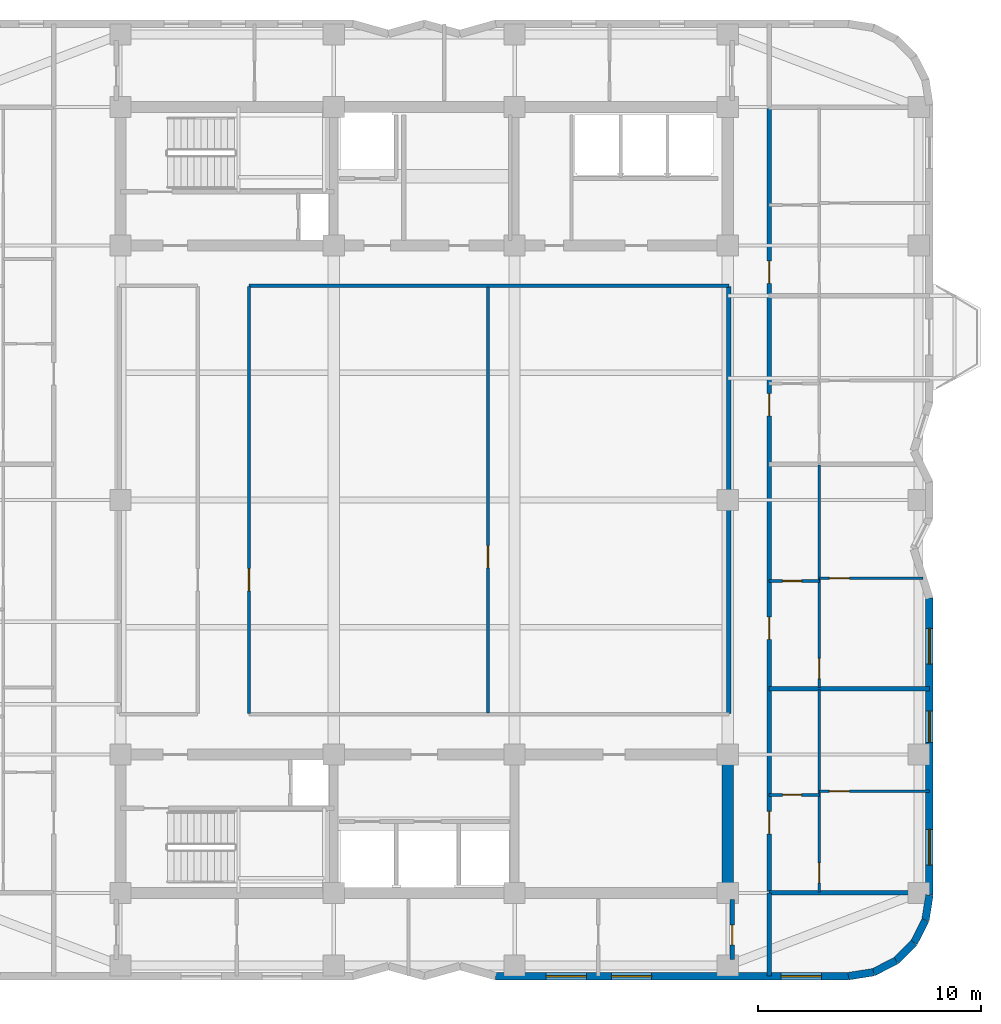
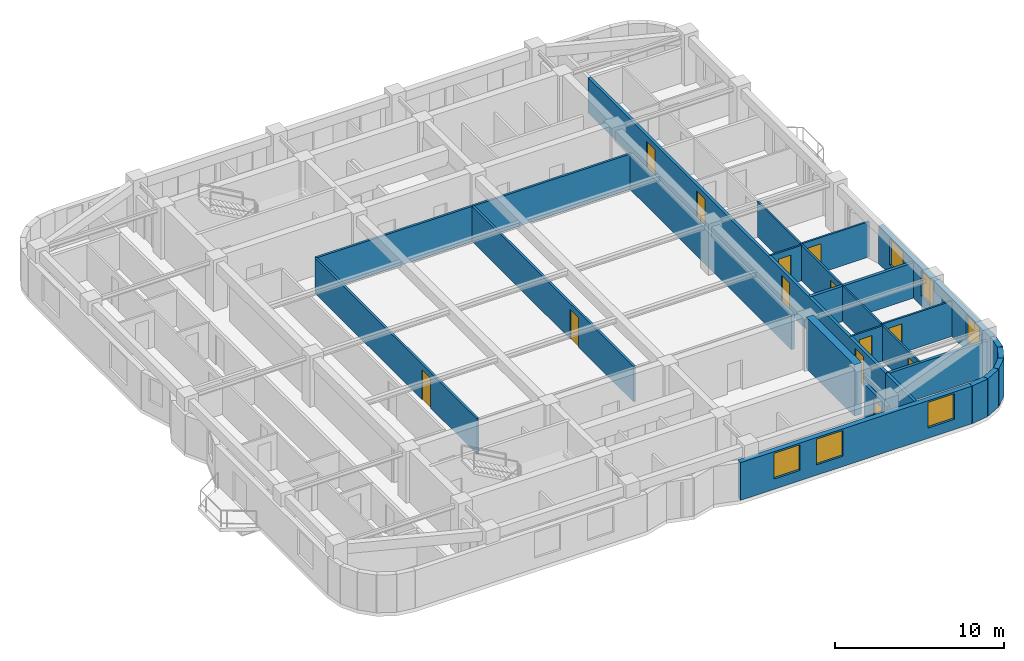
# One storey, part 4 of 9: 23 walls, 13 doors, 6 windows, 19 openings.
"""IFC4 building model written with IfcOpenShell, lengths in metres."""

from ifc_helpers import new_model, si_unit, direction, frame, frame_2d, origin, place, context, subcontext, project, spatial, rectangle, extrude, material, layer, layer_set, type_object, element, fill, save


model = new_model("IFC4")

# Units and contexts
model_context = context("Model", 3, precision=1e-05, world=origin(), true_north=direction((0.0, 1.0)))
body_context = subcontext(model_context, "Body", "Model", "MODEL_VIEW")
ifc_project = project(units=[si_unit("LENGTHUNIT", "METRE"), si_unit("AREAUNIT", "SQUARE_METRE"), si_unit("VOLUMEUNIT", "CUBIC_METRE"), si_unit("PLANEANGLEUNIT", "RADIAN"), si_unit("MASSUNIT", "GRAM", prefix="KILO")], contexts=[model_context])

# Site, building, storey
site_placement = place(None, origin())
site = spatial("IfcSite", under=ifc_project, at=site_placement, CompositionType="ELEMENT")
building_placement = place(site_placement, origin())
building = spatial("IfcBuilding", under=site, at=building_placement, Name="Svetorya Sky Lyceum", CompositionType="ELEMENT")
storey_placement = place(building_placement, frame((0.0, 0.0, 181.10009765625)))
storey = spatial("IfcBuildingStorey", under=building, at=storey_placement, Name="L45", CompositionType="ELEMENT", Elevation=181.10009765625)

# Wall
ifc_material_1 = material(Name="Concrete C50/60", Category="concrete")
ifc_layer_1 = layer(ifc_material_1, 0.5)
ifc_layer_set_1 = layer_set([ifc_layer_1], Name="Concrete C50/60")
wall_type_1 = type_object("IfcWallType", Name="WL-CORE-500", PredefinedType="SHEAR", material=ifc_layer_set_1)
wall_1_placement = place(storey_placement, frame((52.800048828125, 10.85009765625, 0.0), z_axis=(0.0, 0.0, 1.0), x_axis=(0.0, 1.0, 0.0)))
element("IfcWall", 1, at=wall_1_placement, inside=storey, type_object=wall_type_1, Name="L45 SC East Core Shear Wall", PredefinedType="SHEAR", context=body_context, shape_type="SweptSolid", body=[
    extrude(rectangle(XDim=5.699951171875, YDim=0.5, at=frame_2d((2.85009765625, 0.0))), origin(), (0.0, 0.0, 1.0), 3.699951171875),
])

# Wall, openings, windows
ifc_material_2 = material(Name="Putilovo limestone rainscreen on autoclaved cellular masonry", Category="masonry")
ifc_layer_2 = layer(ifc_material_2, 0.340087890625)
ifc_layer_set_2 = layer_set([ifc_layer_2], Name="Putilovo limestone rainscreen on autoclaved cellular masonry")
wall_type_2 = type_object("IfcWallType", Name="WL-EXT-340", PredefinedType="SOLIDWALL", material=ifc_layer_set_2)
wall_2_placement = place(storey_placement, frame((42.39990234375, 6.8701171875, 0.0), z_axis=(0.0, 0.0, 1.0), x_axis=(1.0, 0.0, 0.0)))
wall_2 = element("IfcWall", 2, at=wall_2_placement, inside=storey, type_object=wall_type_2, Name="L45 Limestone Exterior Wall 11M", PredefinedType="SOLIDWALL", context=body_context, shape_type="SweptSolid", body=[
    extrude(rectangle(XDim=15.800048828125, YDim=0.340087890625, at=frame_2d((7.89990234375, 0.0))), origin(), (0.0, 0.0, 1.0), 2.719970703125),
])
opening_1_placement = place(wall_2_placement, frame((2.262451171875, 0.0, 0.75)))
opening_1 = element("IfcOpeningElement", 3, at=opening_1_placement, cuts=wall_2, Name="Opening W-R1", PredefinedType="OPENING", context=body_context, shape_type="SweptSolid", body=[
    extrude(rectangle(XDim=1.800048828125, YDim=1.85009765625, at=frame_2d((0.89990234375, 0.925048828125))), frame((0.0, 0.179931640625, 0.0), z_axis=(0.0, -1.0, 0.0), x_axis=(1.0, 0.0, 0.0)), (0.0, 0.0, 1.0), 0.360107421875),
])
opening_2_placement = place(wall_2_placement, frame((5.1875, 0.0, 0.75)))
opening_2 = element("IfcOpeningElement", 4, at=opening_2_placement, cuts=wall_2, Name="Opening W-R1", PredefinedType="OPENING", context=body_context, shape_type="SweptSolid", body=[
    extrude(rectangle(XDim=1.800048828125, YDim=1.85009765625, at=frame_2d((0.89990234375, 0.925048828125))), frame((0.0, 0.179931640625, 0.0), z_axis=(0.0, -1.0, 0.0), x_axis=(1.0, 0.0, 0.0)), (0.0, 0.0, 1.0), 0.360107421875),
])
opening_3_placement = place(wall_2_placement, frame((12.78759765625, 0.0, 0.75)))
opening_3 = element("IfcOpeningElement", 5, at=opening_3_placement, cuts=wall_2, Name="Opening W-R1", PredefinedType="OPENING", context=body_context, shape_type="SweptSolid", body=[
    extrude(rectangle(XDim=1.800048828125, YDim=1.85009765625, at=frame_2d((0.89990234375, 0.925048828125))), frame((0.0, 0.179931640625, 0.0), z_axis=(0.0, -1.0, 0.0), x_axis=(1.0, 0.0, 0.0)), (0.0, 0.0, 1.0), 0.360107421875),
])
ifc_material_3 = material(Name="Thermally broken aluminium frame with triple low-E glazing", Category="aluminium")
window_type_1 = type_object("IfcWindowType", Name="WN-RES-180", PartitioningType="DOUBLE_PANEL_VERTICAL", PredefinedType="WINDOW", material=ifc_material_3)
window_1_placement = place(opening_1_placement, origin())
window_1 = element("IfcWindow", 6, at=window_1_placement, inside=storey, type_object=window_type_1, Name="L45 Facade Window W-R1.11M.1", OverallHeight=1.85009765625, OverallWidth=1.800048828125, PartitioningType="SINGLE_PANEL", PredefinedType="WINDOW", context=body_context, shape_type="SweptSolid", body=[
    extrude(rectangle(XDim=1.800048828125, YDim=1.85009765625, at=frame_2d((0.89990234375, 0.925048828125))), frame((0.0, 0.030029296875, 0.0), z_axis=(0.0, -1.0, 0.0), x_axis=(1.0, 0.0, 0.0)), (0.0, 0.0, 1.0), 0.06005859375),
])
fill(opening_1, window_1)
window_2_placement = place(opening_2_placement, origin())
window_2 = element("IfcWindow", 7, at=window_2_placement, inside=storey, type_object=window_type_1, Name="L45 Facade Window W-R1.11M.2", OverallHeight=1.85009765625, OverallWidth=1.800048828125, PartitioningType="SINGLE_PANEL", PredefinedType="WINDOW", context=body_context, shape_type="SweptSolid", body=[
    extrude(rectangle(XDim=1.800048828125, YDim=1.85009765625, at=frame_2d((0.89990234375, 0.925048828125))), frame((0.0, 0.030029296875, 0.0), z_axis=(0.0, -1.0, 0.0), x_axis=(1.0, 0.0, 0.0)), (0.0, 0.0, 1.0), 0.06005859375),
])
fill(opening_2, window_2)
window_3_placement = place(opening_3_placement, origin())
window_3 = element("IfcWindow", 8, at=window_3_placement, inside=storey, type_object=window_type_1, Name="L45 Facade Window W-R1.11M.3", OverallHeight=1.85009765625, OverallWidth=1.800048828125, PartitioningType="SINGLE_PANEL", PredefinedType="WINDOW", context=body_context, shape_type="SweptSolid", body=[
    extrude(rectangle(XDim=1.800048828125, YDim=1.85009765625, at=frame_2d((0.89990234375, 0.925048828125))), frame((0.0, 0.030029296875, 0.0), z_axis=(0.0, -1.0, 0.0), x_axis=(1.0, 0.0, 0.0)), (0.0, 0.0, 1.0), 0.06005859375),
])
fill(opening_3, window_3)

# Walls
for number, where, z_axis, x_axis, name in (
    (9, (58.199951171875, 6.8701171875, 0.0), (0.0, 0.0, 1.0), (0.987714116584, 0.156271634985, 0.0), "L45 Limestone Exterior Wall 12M"),
    (10, (59.32177734375, 7.047607421875, 0.0), (0.0, 0.0, 1.0), (0.891005044957, 0.453993402883, 0.0), "L45 Limestone Exterior Wall 13M"),
):
    element("IfcWall", number, at=place(storey_placement, frame(where, z_axis=z_axis, x_axis=x_axis)), inside=storey, type_object=wall_type_2, Name=name, PredefinedType="SOLIDWALL", context=body_context, shape_type="SweptSolid", body=[
        extrude(rectangle(XDim=1.1357421875, YDim=0.340087890625, at=frame_2d((0.56787109375, 0.0))), origin(), (0.0, 0.0, 1.0), 2.719970703125),
    ])
wall_3_placement = place(storey_placement, frame((60.333740234375, 7.563232421875, 0.0), z_axis=(0.0, 0.0, 1.0), x_axis=(0.707106781187, 0.707106781187, 0.0)))
element("IfcWall", 11, at=wall_3_placement, inside=storey, type_object=wall_type_2, Name="L45 Limestone Exterior Wall 14M", PredefinedType="SOLIDWALL", context=body_context, shape_type="SweptSolid", body=[
    extrude(rectangle(XDim=1.135498046875, YDim=0.340087890625, at=frame_2d((0.56787109375, 0.0))), origin(), (0.0, 0.0, 1.0), 2.719970703125),
])
wall_4_placement = place(storey_placement, frame((61.13671875, 8.3662109375, 0.0), z_axis=(0.0, 0.0, 1.0), x_axis=(0.45390646422, 0.891049337433, 0.0)))
element("IfcWall", 12, at=wall_4_placement, inside=storey, type_object=wall_type_2, Name="L45 Limestone Exterior Wall 15M", PredefinedType="SOLIDWALL", context=body_context, shape_type="SweptSolid", body=[
    extrude(rectangle(XDim=1.135986328125, YDim=0.340087890625, at=frame_2d((0.56787109375, 0.0))), origin(), (0.0, 0.0, 1.0), 2.719970703125),
])
wall_5_placement = place(storey_placement, frame((61.65234375, 9.37841796875, 0.0), z_axis=(0.0, 0.0, 1.0), x_axis=(0.156514556949, 0.987675651954, 0.0)))
element("IfcWall", 13, at=wall_5_placement, inside=storey, type_object=wall_type_2, Name="L45 Limestone Exterior Wall 16M", PredefinedType="SOLIDWALL", context=body_context, shape_type="SweptSolid", body=[
    extrude(rectangle(XDim=1.135498046875, YDim=0.340087890625, at=frame_2d((0.56787109375, 0.0))), origin(), (0.0, 0.0, 1.0), 2.719970703125),
])

# Wall, openings, windows
wall_6_placement = place(storey_placement, frame((61.830078125, 10.5, 0.0), z_axis=(0.0, 0.0, 1.0), x_axis=(0.0, 1.0, 0.0)))
wall_6 = element("IfcWall", 14, at=wall_6_placement, inside=storey, type_object=wall_type_2, Name="L45 Limestone Exterior Wall 17M", PredefinedType="SOLIDWALL", context=body_context, shape_type="SweptSolid", body=[
    extrude(rectangle(XDim=13.300048828125, YDim=0.340087890625, at=frame_2d((6.64990234375, 0.0))), origin(), (0.0, 0.0, 1.0), 2.719970703125),
])
opening_4_placement = place(wall_6_placement, frame((1.35009765625, 0.0, 0.699951171875)))
opening_4 = element("IfcOpeningElement", 15, at=opening_4_placement, cuts=wall_6, Name="Opening W-R4", PredefinedType="OPENING", context=body_context, shape_type="SweptSolid", body=[
    extrude(rectangle(XDim=1.60009765625, YDim=1.89990234375, at=frame_2d((0.800048828125, 0.949951171875))), frame((0.0, 0.179931640625, 0.0), z_axis=(0.0, -1.0, 0.0), x_axis=(1.0, 0.0, 0.0)), (0.0, 0.0, 1.0), 0.360107421875),
])
opening_5_placement = place(wall_6_placement, frame((6.840087890625, 0.0, 0.7099609375)))
opening_5 = element("IfcOpeningElement", 16, at=opening_5_placement, cuts=wall_6, Name="Opening W-R2", PredefinedType="OPENING", context=body_context, shape_type="SweptSolid", body=[
    extrude(rectangle(XDim=1.39990234375, YDim=1.85009765625, at=frame_2d((0.699951171875, 0.925048828125))), frame((0.0, 0.179931640625, 0.0), z_axis=(0.0, -1.0, 0.0), x_axis=(1.0, 0.0, 0.0)), (0.0, 0.0, 1.0), 0.360107421875),
])
opening_6_placement = place(wall_6_placement, frame((10.35009765625, 0.0, 0.699951171875)))
opening_6 = element("IfcOpeningElement", 17, at=opening_6_placement, cuts=wall_6, Name="Opening W-R4", PredefinedType="OPENING", context=body_context, shape_type="SweptSolid", body=[
    extrude(rectangle(XDim=1.60009765625, YDim=1.89990234375, at=frame_2d((0.800048828125, 0.949951171875))), frame((0.0, 0.179931640625, 0.0), z_axis=(0.0, -1.0, 0.0), x_axis=(1.0, 0.0, 0.0)), (0.0, 0.0, 1.0), 0.360107421875),
])
window_type_2 = type_object("IfcWindowType", Name="WN-RES-140", PartitioningType="SINGLE_PANEL", PredefinedType="WINDOW", material=ifc_material_3)
window_4_placement = place(opening_5_placement, origin())
window_4 = element("IfcWindow", 18, at=window_4_placement, inside=storey, type_object=window_type_2, Name="L45 Facade Window W-R2.17M.3", OverallHeight=1.85009765625, OverallWidth=1.39990234375, PartitioningType="SINGLE_PANEL", PredefinedType="WINDOW", context=body_context, shape_type="SweptSolid", body=[
    extrude(rectangle(XDim=1.39990234375, YDim=1.85009765625, at=frame_2d((0.699951171875, 0.925048828125))), frame((0.0, 0.030029296875, 0.0), z_axis=(0.0, -1.0, 0.0), x_axis=(1.0, 0.0, 0.0)), (0.0, 0.0, 1.0), 0.06005859375),
])
fill(opening_5, window_4)
window_type_3 = type_object("IfcWindowType", Name="WN-RES-160", PartitioningType="DOUBLE_PANEL_VERTICAL", PredefinedType="WINDOW", material=ifc_material_3)
window_5_placement = place(opening_4_placement, origin())
window_5 = element("IfcWindow", 19, at=window_5_placement, inside=storey, type_object=window_type_3, Name="L45 Facade Window W-R4.17M.1", OverallHeight=1.89990234375, OverallWidth=1.60009765625, PartitioningType="SINGLE_PANEL", PredefinedType="WINDOW", context=body_context, shape_type="SweptSolid", body=[
    extrude(rectangle(XDim=1.60009765625, YDim=1.89990234375, at=frame_2d((0.800048828125, 0.949951171875))), frame((0.0, 0.030029296875, 0.0), z_axis=(0.0, -1.0, 0.0), x_axis=(1.0, 0.0, 0.0)), (0.0, 0.0, 1.0), 0.06005859375),
])
fill(opening_4, window_5)
window_6_placement = place(opening_6_placement, origin())
window_6 = element("IfcWindow", 20, at=window_6_placement, inside=storey, type_object=window_type_3, Name="L45 Facade Window W-R4.17M.2", OverallHeight=1.89990234375, OverallWidth=1.60009765625, PartitioningType="SINGLE_PANEL", PredefinedType="WINDOW", context=body_context, shape_type="SweptSolid", body=[
    extrude(rectangle(XDim=1.60009765625, YDim=1.89990234375, at=frame_2d((0.800048828125, 0.949951171875))), frame((0.0, 0.030029296875, 0.0), z_axis=(0.0, -1.0, 0.0), x_axis=(1.0, 0.0, 0.0)), (0.0, 0.0, 1.0), 0.06005859375),
])
fill(opening_6, window_6)

# Wall, opening, door
ifc_material_4 = material(Name="Twin-stud galvanized framing with double fireboard", Category="gypsum")
ifc_layer_3 = layer(ifc_material_4, 0.1201171875)
ifc_layer_set_3 = layer_set([ifc_layer_3], Name="Twin-stud galvanized framing with double fireboard")
wall_type_3 = type_object("IfcWallType", Name="WL-PART-120", PredefinedType="PARTITIONING", material=ifc_layer_set_3)
wall_7_placement = place(storey_placement, frame((54.64990234375, 14.989990234375, 0.0), z_axis=(0.0, 0.0, 1.0), x_axis=(1.0, 0.0, 0.0)))
wall_7 = element("IfcWall", 21, at=wall_7_placement, inside=storey, type_object=wall_type_3, Name="L45 Interior Partition E1-WH1", PredefinedType="PARTITIONING", context=body_context, shape_type="SweptSolid", body=[
    extrude(rectangle(XDim=2.25, YDim=0.1201171875, at=frame_2d((1.125, 0.0))), origin(), (0.0, 0.0, 1.0), 2.5498046875),
])
opening_7_placement = place(wall_7_placement, frame((0.60009765625, 0.0, 0.0)))
opening_7 = element("IfcOpeningElement", 22, at=opening_7_placement, cuts=wall_7, Name="Opening D-BT1", PredefinedType="OPENING", context=body_context, shape_type="SweptSolid", body=[
    extrude(rectangle(XDim=0.85009765625, YDim=2.10009765625, at=frame_2d((0.425048828125, 1.050048828125))), frame((0.0, 0.070068359375, 0.0), z_axis=(0.0, -1.0, 0.0), x_axis=(1.0, 0.0, 0.0)), (0.0, 0.0, 1.0), 0.14013671875),
])
ifc_material_5 = material(Name="Moisture-resistant laminate bathroom door")
door_type_1 = type_object("IfcDoorType", Name="DR-WET-850", OperationType="SINGLE_SWING_LEFT", PredefinedType="DOOR", material=ifc_material_5)
door_1_placement = place(opening_7_placement, origin())
door_1 = element("IfcDoor", 23, at=door_1_placement, inside=storey, type_object=door_type_1, Name="Apartment E1 Bathroom Door", OperationType="SINGLE_SWING_RIGHT", OverallHeight=2.10009765625, OverallWidth=0.85009765625, PredefinedType="DOOR", context=body_context, shape_type="SweptSolid", body=[
    extrude(rectangle(XDim=0.85009765625, YDim=2.10009765625, at=frame_2d((0.425048828125, 1.050048828125))), frame((0.0, 0.02490234375, 0.0), z_axis=(0.0, -1.0, 0.0), x_axis=(1.0, 0.0, 0.0)), (0.0, 0.0, 1.0), 0.050048828125),
])
fill(opening_7, door_1)

wall_8_placement = place(storey_placement, frame((56.89990234375, 15.14990234375, 0.0), z_axis=(0.0, 0.0, 1.0), x_axis=(1.0, 0.0, 0.0)))
wall_8 = element("IfcWall", 24, at=wall_8_placement, inside=storey, type_object=wall_type_3, Name="L45 Interior Partition E1-WL1", PredefinedType="PARTITIONING", context=body_context, shape_type="SweptSolid", body=[
    extrude(rectangle(XDim=4.93017578125, YDim=0.1201171875, at=frame_2d((2.465087890625, 0.0))), origin(), (0.0, 0.0, 1.0), 2.5498046875),
])
opening_8_placement = place(wall_8_placement, frame((0.449951171875, 0.0, 0.0)))
opening_8 = element("IfcOpeningElement", 25, at=opening_8_placement, cuts=wall_8, Name="Opening D-RM1", PredefinedType="OPENING", context=body_context, shape_type="SweptSolid", body=[
    extrude(rectangle(XDim=0.89990234375, YDim=2.10009765625, at=frame_2d((0.449951171875, 1.050048828125))), frame((0.0, 0.070068359375, 0.0), z_axis=(0.0, -1.0, 0.0), x_axis=(1.0, 0.0, 0.0)), (0.0, 0.0, 1.0), 0.14013671875),
])
ifc_material_6 = material(Name="Lacquered birch veneer internal door")
door_type_2 = type_object("IfcDoorType", Name="DR-INT-900", OperationType="SINGLE_SWING_LEFT", PredefinedType="DOOR", material=ifc_material_6)
door_2_placement = place(opening_8_placement, origin())
door_2 = element("IfcDoor", 26, at=door_2_placement, inside=storey, type_object=door_type_2, Name="Apartment E1 Bedroom 1 Door", OperationType="SINGLE_SWING_RIGHT", OverallHeight=2.10009765625, OverallWidth=0.89990234375, PredefinedType="DOOR", context=body_context, shape_type="SweptSolid", body=[
    extrude(rectangle(XDim=0.89990234375, YDim=2.10009765625, at=frame_2d((0.449951171875, 1.050048828125))), frame((0.0, 0.02490234375, 0.0), z_axis=(0.0, -1.0, 0.0), x_axis=(1.0, 0.0, 0.0)), (0.0, 0.0, 1.0), 0.050048828125),
])
fill(opening_8, door_2)

wall_9_placement = place(storey_placement, frame((56.89990234375, 10.639892578125, 0.0), z_axis=(0.0, 0.0, 1.0), x_axis=(0.0, 1.0, 0.0)))
wall_9 = element("IfcWall", 27, at=wall_9_placement, inside=storey, type_object=wall_type_3, Name="L45 Interior Partition E1-WV", PredefinedType="PARTITIONING", context=body_context, shape_type="SweptSolid", body=[
    extrude(rectangle(XDim=9.072021484375, YDim=0.1201171875, at=frame_2d((4.5361328125, 0.0))), origin(), (0.0, 0.0, 1.0), 2.5498046875),
])
opening_9_placement = place(wall_9_placement, frame((0.409912109375, 0.0, 0.0)))
opening_9 = element("IfcOpeningElement", 28, at=opening_9_placement, cuts=wall_9, Name="Opening D-RM1", PredefinedType="OPENING", context=body_context, shape_type="SweptSolid", body=[
    extrude(rectangle(XDim=0.89990234375, YDim=2.10009765625, at=frame_2d((0.449951171875, 1.050048828125))), frame((0.0, 0.070068359375, 0.0), z_axis=(0.0, -1.0, 0.0), x_axis=(1.0, 0.0, 0.0)), (0.0, 0.0, 1.0), 0.14013671875),
])
door_3_placement = place(opening_9_placement, origin())
door_3 = element("IfcDoor", 29, at=door_3_placement, inside=storey, type_object=door_type_2, Name="Apartment E1 Living Door", OperationType="SINGLE_SWING_LEFT", OverallHeight=2.10009765625, OverallWidth=0.89990234375, PredefinedType="DOOR", context=body_context, shape_type="SweptSolid", body=[
    extrude(rectangle(XDim=0.89990234375, YDim=2.10009765625, at=frame_2d((0.449951171875, 1.050048828125))), frame((0.0, 0.02490234375, 0.0), z_axis=(0.0, -1.0, 0.0), x_axis=(1.0, 0.0, 0.0)), (0.0, 0.0, 1.0), 0.050048828125),
])
fill(opening_9, door_3)

wall_10_placement = place(storey_placement, frame((54.64990234375, 24.572021484375, 0.0), z_axis=(0.0, 0.0, 1.0), x_axis=(1.0, 0.0, 0.0)))
wall_10 = element("IfcWall", 30, at=wall_10_placement, inside=storey, type_object=wall_type_3, Name="L45 Interior Partition E2-WH1", PredefinedType="PARTITIONING", context=body_context, shape_type="SweptSolid", body=[
    extrude(rectangle(XDim=2.25, YDim=0.1201171875, at=frame_2d((1.125, 0.0))), origin(), (0.0, 0.0, 1.0), 2.5498046875),
])
opening_10_placement = place(wall_10_placement, frame((0.60009765625, 0.0, 0.0)))
opening_10 = element("IfcOpeningElement", 31, at=opening_10_placement, cuts=wall_10, Name="Opening D-BT1", PredefinedType="OPENING", context=body_context, shape_type="SweptSolid", body=[
    extrude(rectangle(XDim=0.85009765625, YDim=2.10009765625, at=frame_2d((0.425048828125, 1.050048828125))), frame((0.0, 0.070068359375, 0.0), z_axis=(0.0, -1.0, 0.0), x_axis=(1.0, 0.0, 0.0)), (0.0, 0.0, 1.0), 0.14013671875),
])
door_4_placement = place(opening_10_placement, origin())
door_4 = element("IfcDoor", 32, at=door_4_placement, inside=storey, type_object=door_type_1, Name="Apartment E2 Bathroom Door", OperationType="SINGLE_SWING_LEFT", OverallHeight=2.10009765625, OverallWidth=0.85009765625, PredefinedType="DOOR", context=body_context, shape_type="SweptSolid", body=[
    extrude(rectangle(XDim=0.85009765625, YDim=2.10009765625, at=frame_2d((0.425048828125, 1.050048828125))), frame((0.0, 0.02490234375, 0.0), z_axis=(0.0, -1.0, 0.0), x_axis=(1.0, 0.0, 0.0)), (0.0, 0.0, 1.0), 0.050048828125),
])
fill(opening_10, door_4)

wall_11_placement = place(storey_placement, frame((56.89990234375, 24.701904296875, 0.0), z_axis=(0.0, 0.0, 1.0), x_axis=(1.0, 0.0, 0.0)))
wall_11 = element("IfcWall", 33, at=wall_11_placement, inside=storey, type_object=wall_type_3, Name="L45 Interior Partition E2-WL1", PredefinedType="PARTITIONING", context=body_context, shape_type="SweptSolid", body=[
    extrude(rectangle(XDim=4.64306640625, YDim=0.1201171875, at=frame_2d((2.321533203125, 0.0))), origin(), (0.0, 0.0, 1.0), 2.5498046875),
])
opening_11_placement = place(wall_11_placement, frame((0.449951171875, 0.0, 0.0)))
opening_11 = element("IfcOpeningElement", 34, at=opening_11_placement, cuts=wall_11, Name="Opening D-RM1", PredefinedType="OPENING", context=body_context, shape_type="SweptSolid", body=[
    extrude(rectangle(XDim=0.89990234375, YDim=2.10009765625, at=frame_2d((0.449951171875, 1.050048828125))), frame((0.0, 0.070068359375, 0.0), z_axis=(0.0, -1.0, 0.0), x_axis=(1.0, 0.0, 0.0)), (0.0, 0.0, 1.0), 0.14013671875),
])
door_5_placement = place(opening_11_placement, origin())
door_5 = element("IfcDoor", 35, at=door_5_placement, inside=storey, type_object=door_type_2, Name="Apartment E2 Bedroom 1 Door", OperationType="SINGLE_SWING_LEFT", OverallHeight=2.10009765625, OverallWidth=0.89990234375, PredefinedType="DOOR", context=body_context, shape_type="SweptSolid", body=[
    extrude(rectangle(XDim=0.89990234375, YDim=2.10009765625, at=frame_2d((0.449951171875, 1.050048828125))), frame((0.0, 0.02490234375, 0.0), z_axis=(0.0, -1.0, 0.0), x_axis=(1.0, 0.0, 0.0)), (0.0, 0.0, 1.0), 0.050048828125),
])
fill(opening_11, door_5)

wall_12_placement = place(storey_placement, frame((56.89990234375, 19.7919921875, 0.0), z_axis=(0.0, 0.0, 1.0), x_axis=(0.0, 1.0, 0.0)))
wall_12 = element("IfcWall", 36, at=wall_12_placement, inside=storey, type_object=wall_type_3, Name="L45 Interior Partition E2-WV", PredefinedType="PARTITIONING", context=body_context, shape_type="SweptSolid", body=[
    extrude(rectangle(XDim=9.968017578125, YDim=0.1201171875, at=frame_2d((4.98388671875, 0.0))), origin(), (0.0, 0.0, 1.0), 2.5498046875),
])
opening_12_placement = place(wall_12_placement, frame((0.409912109375, 0.0, 0.0)))
opening_12 = element("IfcOpeningElement", 37, at=opening_12_placement, cuts=wall_12, Name="Opening D-RM1", PredefinedType="OPENING", context=body_context, shape_type="SweptSolid", body=[
    extrude(rectangle(XDim=0.89990234375, YDim=2.10009765625, at=frame_2d((0.449951171875, 1.050048828125))), frame((0.0, 0.070068359375, 0.0), z_axis=(0.0, -1.0, 0.0), x_axis=(1.0, 0.0, 0.0)), (0.0, 0.0, 1.0), 0.14013671875),
])
door_6_placement = place(opening_12_placement, origin())
door_6 = element("IfcDoor", 38, at=door_6_placement, inside=storey, type_object=door_type_2, Name="Apartment E2 Living Door", OperationType="SINGLE_SWING_RIGHT", OverallHeight=2.10009765625, OverallWidth=0.89990234375, PredefinedType="DOOR", context=body_context, shape_type="SweptSolid", body=[
    extrude(rectangle(XDim=0.89990234375, YDim=2.10009765625, at=frame_2d((0.449951171875, 1.050048828125))), frame((0.0, 0.02490234375, 0.0), z_axis=(0.0, -1.0, 0.0), x_axis=(1.0, 0.0, 0.0)), (0.0, 0.0, 1.0), 0.050048828125),
])
fill(opening_12, door_6)

# Wall
ifc_material_7 = material(Name="Autoclaved cellular masonry blockwork with acoustic render", Category="masonry")
ifc_layer_4 = layer(ifc_material_7, 0.14990234375)
ifc_layer_set_4 = layer_set([ifc_layer_4], Name="Autoclaved cellular masonry blockwork with acoustic render")
wall_type_4 = type_object("IfcWallType", Name="WL-PART-150", PredefinedType="PARTITIONING", material=ifc_layer_set_4)
wall_13_placement = place(storey_placement, frame((31.35009765625, 37.800048828125, 0.0), z_axis=(0.0, 0.0, 1.0), x_axis=(1.0, 0.0, 0.0)))
element("IfcWall", 39, at=wall_13_placement, inside=storey, type_object=wall_type_4, Name="L45 Interior Partition OFF-CN-E", PredefinedType="PARTITIONING", context=body_context, shape_type="SweptSolid", body=[
    extrude(rectangle(XDim=21.5, YDim=0.14990234375, at=frame_2d((10.75, 0.0))), origin(), (0.0, 0.0, 1.0), 2.5498046875),
])

# Wall, opening, door
wall_14_placement = place(storey_placement, frame((42.06005859375, 18.659912109375, 0.0), z_axis=(0.0, 0.0, 1.0), x_axis=(0.0, 1.0, 0.0)))
wall_14 = element("IfcWall", 40, at=wall_14_placement, inside=storey, type_object=wall_type_4, Name="L45 Interior Partition OFF-VEMID", PredefinedType="PARTITIONING", context=body_context, shape_type="SweptSolid", body=[
    extrude(rectangle(XDim=19.080078125, YDim=0.14990234375, at=frame_2d((9.5400390625, 0.0))), origin(), (0.0, 0.0, 1.0), 2.5498046875),
])
opening_13_placement = place(wall_14_placement, frame((6.5, 0.0, 0.0)))
opening_13 = element("IfcOpeningElement", 41, at=opening_13_placement, cuts=wall_14, Name="Opening D-RM2", PredefinedType="OPENING", context=body_context, shape_type="SweptSolid", body=[
    extrude(rectangle(XDim=1.0, YDim=2.14990234375, at=frame_2d((0.5, 1.074951171875))), frame((0.0, 0.0849609375, 0.0), z_axis=(0.0, -1.0, 0.0), x_axis=(1.0, 0.0, 0.0)), (0.0, 0.0, 1.0), 0.169921875),
])
ifc_material_8 = material(Name="Solid-core oak acoustic room door")
door_type_3 = type_object("IfcDoorType", Name="DR-INT-1000", OperationType="SINGLE_SWING_LEFT", PredefinedType="DOOR", material=ifc_material_8)
door_7_placement = place(opening_13_placement, origin())
door_7 = element("IfcDoor", 42, at=door_7_placement, inside=storey, type_object=door_type_3, Name="L45 Recreation Door", OperationType="SINGLE_SWING_LEFT", OverallHeight=2.14990234375, OverallWidth=1.0, PredefinedType="DOOR", context=body_context, shape_type="SweptSolid", body=[
    extrude(rectangle(XDim=1.0, YDim=2.14990234375, at=frame_2d((0.5, 1.074951171875))), frame((0.0, 0.02490234375, 0.0), z_axis=(0.0, -1.0, 0.0), x_axis=(1.0, 0.0, 0.0)), (0.0, 0.0, 1.0), 0.050048828125),
])
fill(opening_13, door_7)

wall_15_placement = place(storey_placement, frame((31.35009765625, 18.6298828125, 0.0), z_axis=(0.0, 0.0, 1.0), x_axis=(0.0, 1.0, 0.0)))
wall_15 = element("IfcWall", 43, at=wall_15_placement, inside=storey, type_object=wall_type_4, Name="L45 Interior Partition OFF-VE", PredefinedType="PARTITIONING", context=body_context, shape_type="SweptSolid", body=[
    extrude(rectangle(XDim=19.14013671875, YDim=0.14990234375, at=frame_2d((9.570068359375, 0.0))), origin(), (0.0, 0.0, 1.0), 2.5498046875),
])
opening_14_placement = place(wall_15_placement, frame((5.5, 0.0, 0.0)))
opening_14 = element("IfcOpeningElement", 44, at=opening_14_placement, cuts=wall_15, Name="Opening D-RM2", PredefinedType="OPENING", context=body_context, shape_type="SweptSolid", body=[
    extrude(rectangle(XDim=1.0, YDim=2.14990234375, at=frame_2d((0.5, 1.074951171875))), frame((0.0, 0.0849609375, 0.0), z_axis=(0.0, -1.0, 0.0), x_axis=(1.0, 0.0, 0.0)), (0.0, 0.0, 1.0), 0.169921875),
])
door_8_placement = place(opening_14_placement, origin())
door_8 = element("IfcDoor", 45, at=door_8_placement, inside=storey, type_object=door_type_3, Name="L45 Seminar Door", OperationType="SINGLE_SWING_RIGHT", OverallHeight=2.14990234375, OverallWidth=1.0, PredefinedType="DOOR", context=body_context, shape_type="SweptSolid", body=[
    extrude(rectangle(XDim=1.0, YDim=2.14990234375, at=frame_2d((0.5, 1.074951171875))), frame((0.0, 0.02490234375, 0.0), z_axis=(0.0, -1.0, 0.0), x_axis=(1.0, 0.0, 0.0)), (0.0, 0.0, 1.0), 0.050048828125),
])
fill(opening_14, door_8)

# Walls
ifc_material_9 = material(Name="Autoclaved cellular masonry blockwork with gypsum plaster", Category="masonry")
ifc_layer_5 = layer(ifc_material_9, 0.199951171875)
ifc_layer_set_5 = layer_set([ifc_layer_5], Name="Autoclaved cellular masonry blockwork with gypsum plaster")
wall_type_5 = type_object("IfcWallType", Name="WL-PART-200", PredefinedType="PARTITIONING", material=ifc_layer_set_5)
wall_16_placement = place(storey_placement, frame((52.85009765625, 18.6298828125, 0.0), z_axis=(0.0, 0.0, 1.0), x_axis=(0.0, 1.0, 0.0)))
element("IfcWall", 46, at=wall_16_placement, inside=storey, type_object=wall_type_5, Name="L45 Interior Partition E-CEN-SEP", PredefinedType="PARTITIONING", context=body_context, shape_type="SweptSolid", body=[
    extrude(rectangle(XDim=19.14013671875, YDim=0.199951171875, at=frame_2d((9.570068359375, 0.0))), origin(), (0.0, 0.0, 1.0), 2.5498046875),
])
wall_17_placement = place(storey_placement, frame((54.64990234375, 19.751953125, 0.0), z_axis=(0.0, 0.0, 1.0), x_axis=(1.0, 0.0, 0.0)))
element("IfcWall", 47, at=wall_17_placement, inside=storey, type_object=wall_type_5, Name="L45 Interior Partition E-PARTY-1", PredefinedType="PARTITIONING", context=body_context, shape_type="SweptSolid", body=[
    extrude(rectangle(XDim=7.18017578125, YDim=0.199951171875, at=frame_2d((3.590087890625, 0.0))), origin(), (0.0, 0.0, 1.0), 2.5498046875),
])

# Wall, openings, doors
wall_18_placement = place(storey_placement, frame((54.64990234375, 10.60009765625, 0.0), z_axis=(0.0, 0.0, 1.0), x_axis=(0.0, 1.0, 0.0)))
wall_18 = element("IfcWall", 48, at=wall_18_placement, inside=storey, type_object=wall_type_5, Name="L45 Interior Partition E-CORRW", PredefinedType="PARTITIONING", context=body_context, shape_type="SweptSolid", body=[
    extrude(rectangle(XDim=35.199951171875, YDim=0.199951171875, at=frame_2d((17.60009765625, 0.0))), origin(), (0.0, 0.0, 1.0), 2.5498046875),
])
opening_15_placement = place(wall_18_placement, frame((2.64990234375, 0.0, 0.0)))
opening_15 = element("IfcOpeningElement", 49, at=opening_15_placement, cuts=wall_18, Name="Opening D-APT1", PredefinedType="OPENING", context=body_context, shape_type="SweptSolid", body=[
    extrude(rectangle(XDim=1.0, YDim=2.14990234375, at=frame_2d((0.5, 1.074951171875))), frame((0.0, 0.10986328125, 0.0), z_axis=(0.0, -1.0, 0.0), x_axis=(1.0, 0.0, 0.0)), (0.0, 0.0, 1.0), 0.219970703125),
])
opening_16_placement = place(wall_18_placement, frame((11.35205078125, 0.0, 0.0)))
opening_16 = element("IfcOpeningElement", 50, at=opening_16_placement, cuts=wall_18, Name="Opening D-APT1", PredefinedType="OPENING", context=body_context, shape_type="SweptSolid", body=[
    extrude(rectangle(XDim=1.0, YDim=2.14990234375, at=frame_2d((0.5, 1.074951171875))), frame((0.0, 0.10986328125, 0.0), z_axis=(0.0, -1.0, 0.0), x_axis=(1.0, 0.0, 0.0)), (0.0, 0.0, 1.0), 0.219970703125),
])
opening_17_placement = place(wall_18_placement, frame((21.3701171875, 0.0, 0.0)))
opening_17 = element("IfcOpeningElement", 51, at=opening_17_placement, cuts=wall_18, Name="Opening D-APT1", PredefinedType="OPENING", context=body_context, shape_type="SweptSolid", body=[
    extrude(rectangle(XDim=1.0, YDim=2.14990234375, at=frame_2d((0.5, 1.074951171875))), frame((0.0, 0.10986328125, 0.0), z_axis=(0.0, -1.0, 0.0), x_axis=(1.0, 0.0, 0.0)), (0.0, 0.0, 1.0), 0.219970703125),
])
opening_18_placement = place(wall_18_placement, frame((27.302001953125, 0.0, 0.0)))
opening_18 = element("IfcOpeningElement", 52, at=opening_18_placement, cuts=wall_18, Name="Opening D-APT1", PredefinedType="OPENING", context=body_context, shape_type="SweptSolid", body=[
    extrude(rectangle(XDim=1.0, YDim=2.14990234375, at=frame_2d((0.5, 1.074951171875))), frame((0.0, 0.10986328125, 0.0), z_axis=(0.0, -1.0, 0.0), x_axis=(1.0, 0.0, 0.0)), (0.0, 0.0, 1.0), 0.219970703125),
])
ifc_material_10 = material(Name="Insulated oak-veneered apartment entrance door")
door_type_4 = type_object("IfcDoorType", Name="DR-APT-1000", OperationType="SINGLE_SWING_LEFT", PredefinedType="DOOR", material=ifc_material_10)
door_9_placement = place(opening_15_placement, origin())
door_9 = element("IfcDoor", 53, at=door_9_placement, inside=storey, type_object=door_type_4, Name="L45 Apartment E1 Entrance Door", OperationType="SINGLE_SWING_RIGHT", OverallHeight=2.14990234375, OverallWidth=1.0, PredefinedType="DOOR", context=body_context, shape_type="SweptSolid", body=[
    extrude(rectangle(XDim=1.0, YDim=2.14990234375, at=frame_2d((0.5, 1.074951171875))), frame((0.0, 0.02490234375, 0.0), z_axis=(0.0, -1.0, 0.0), x_axis=(1.0, 0.0, 0.0)), (0.0, 0.0, 1.0), 0.050048828125),
])
fill(opening_15, door_9)
door_10_placement = place(opening_16_placement, origin())
door_10 = element("IfcDoor", 54, at=door_10_placement, inside=storey, type_object=door_type_4, Name="L45 Apartment E2 Entrance Door", OperationType="SINGLE_SWING_LEFT", OverallHeight=2.14990234375, OverallWidth=1.0, PredefinedType="DOOR", context=body_context, shape_type="SweptSolid", body=[
    extrude(rectangle(XDim=1.0, YDim=2.14990234375, at=frame_2d((0.5, 1.074951171875))), frame((0.0, 0.02490234375, 0.0), z_axis=(0.0, -1.0, 0.0), x_axis=(1.0, 0.0, 0.0)), (0.0, 0.0, 1.0), 0.050048828125),
])
fill(opening_16, door_10)
door_11_placement = place(opening_17_placement, origin())
door_11 = element("IfcDoor", 55, at=door_11_placement, inside=storey, type_object=door_type_4, Name="L45 Apartment E3 Entrance Door", OperationType="SINGLE_SWING_RIGHT", OverallHeight=2.14990234375, OverallWidth=1.0, PredefinedType="DOOR", context=body_context, shape_type="SweptSolid", body=[
    extrude(rectangle(XDim=1.0, YDim=2.14990234375, at=frame_2d((0.5, 1.074951171875))), frame((0.0, 0.02490234375, 0.0), z_axis=(0.0, -1.0, 0.0), x_axis=(1.0, 0.0, 0.0)), (0.0, 0.0, 1.0), 0.050048828125),
])
fill(opening_17, door_11)
door_12_placement = place(opening_18_placement, origin())
door_12 = element("IfcDoor", 56, at=door_12_placement, inside=storey, type_object=door_type_4, Name="L45 Apartment E4 Entrance Door", OperationType="SINGLE_SWING_LEFT", OverallHeight=2.14990234375, OverallWidth=1.0, PredefinedType="DOOR", context=body_context, shape_type="SweptSolid", body=[
    extrude(rectangle(XDim=1.0, YDim=2.14990234375, at=frame_2d((0.5, 1.074951171875))), frame((0.0, 0.02490234375, 0.0), z_axis=(0.0, -1.0, 0.0), x_axis=(1.0, 0.0, 0.0)), (0.0, 0.0, 1.0), 0.050048828125),
])
fill(opening_18, door_12)

# Walls
wall_19_placement = place(storey_placement, frame((54.64990234375, 10.60009765625, 0.0), z_axis=(0.0, 0.0, 1.0), x_axis=(1.0, 0.0, 0.0)))
element("IfcWall", 57, at=wall_19_placement, inside=storey, type_object=wall_type_5, Name="L45 Interior Partition E-CAP-S", PredefinedType="PARTITIONING", context=body_context, shape_type="SweptSolid", body=[
    extrude(rectangle(XDim=6.760009765625, YDim=0.199951171875, at=frame_2d((3.3798828125, 0.0))), origin(), (0.0, 0.0, 1.0), 2.5498046875),
])
wall_20_placement = place(storey_placement, frame((54.64990234375, 6.8701171875, 0.0), z_axis=(0.0, 0.0, 1.0), x_axis=(0.0, 1.0, 0.0)))
element("IfcWall", 58, at=wall_20_placement, inside=storey, type_object=wall_type_5, Name="L45 Interior Partition EC-SE-END", PredefinedType="PARTITIONING", context=body_context, shape_type="SweptSolid", body=[
    extrude(rectangle(XDim=3.72998046875, YDim=0.199951171875, at=frame_2d((1.864990234375, 0.0))), origin(), (0.0, 0.0, 1.0), 2.5498046875),
])

# Wall, opening, door
wall_21_placement = place(storey_placement, frame((53.0, 7.6201171875, 0.0), z_axis=(0.0, 0.0, 1.0), x_axis=(0.0, 1.0, 0.0)))
wall_21 = element("IfcWall", 59, at=wall_21_placement, inside=storey, type_object=wall_type_5, Name="L45 Interior Partition S4-EE", PredefinedType="PARTITIONING", context=body_context, shape_type="SweptSolid", body=[
    extrude(rectangle(XDim=2.679931640625, YDim=0.199951171875, at=frame_2d((1.33984375, 0.0))), origin(), (0.0, 0.0, 1.0), 2.5498046875),
])
opening_19_placement = place(wall_21_placement, frame((0.64990234375, 0.0, 0.0)))
opening_19 = element("IfcOpeningElement", 60, at=opening_19_placement, cuts=wall_21, Name="Opening D-RM1", PredefinedType="OPENING", context=body_context, shape_type="SweptSolid", body=[
    extrude(rectangle(XDim=0.89990234375, YDim=2.10009765625, at=frame_2d((0.449951171875, 1.050048828125))), frame((0.0, 0.10986328125, 0.0), z_axis=(0.0, -1.0, 0.0), x_axis=(1.0, 0.0, 0.0)), (0.0, 0.0, 1.0), 0.219970703125),
])
door_13_placement = place(opening_19_placement, origin())
door_13 = element("IfcDoor", 61, at=door_13_placement, inside=storey, type_object=door_type_2, Name="L45 SE Meeting Door", OperationType="SINGLE_SWING_RIGHT", OverallHeight=2.10009765625, OverallWidth=0.89990234375, PredefinedType="DOOR", context=body_context, shape_type="SweptSolid", body=[
    extrude(rectangle(XDim=0.89990234375, YDim=2.10009765625, at=frame_2d((0.449951171875, 1.050048828125))), frame((0.0, 0.02490234375, 0.0), z_axis=(0.0, -1.0, 0.0), x_axis=(1.0, 0.0, 0.0)), (0.0, 0.0, 1.0), 0.050048828125),
])
fill(opening_19, door_13)

save(model, "model.ifc")
